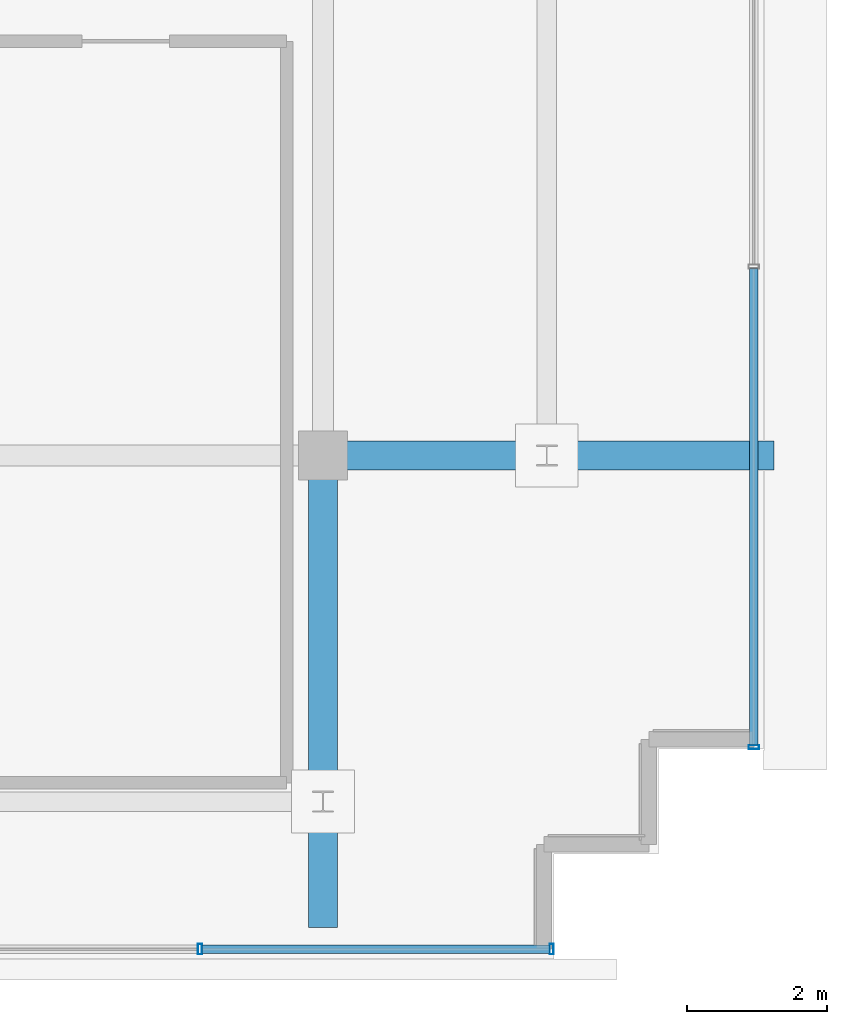
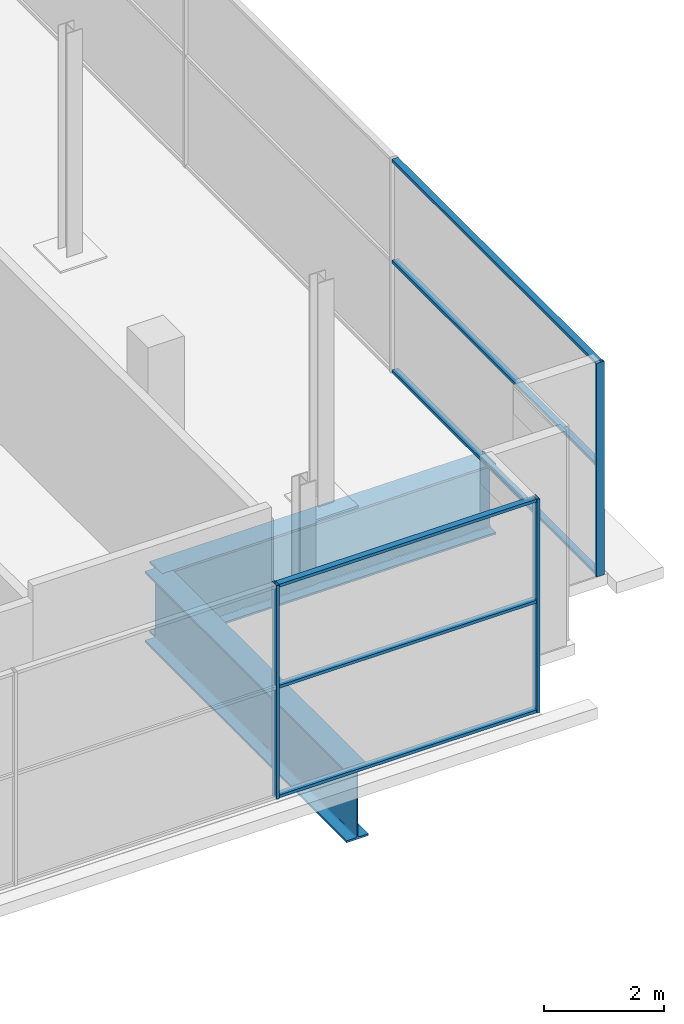
# One storey, part 15 of 28: 9 members, 2 beams, 2 elements without a shape of their own.
"""IFC4 building model written with IfcOpenShell, lengths in metres."""

from ifc_helpers import new_model, si_unit, direction, frame, origin, origin_2d, place, context, subcontext, project, spatial, hollow_rectangle, i_section, extrude, source, transform, mapped, material, layer, layer_set, material_profile, profile_set, type_object, element, aggregate, save


model = new_model("IFC4")

# Units and contexts
model_context = context("Model", 3, precision=1e-05, world=origin(), true_north=direction((0.0, 1.0)))
body_context = subcontext(model_context, "Body", "Model", "MODEL_VIEW")
ifc_project = project(units=[si_unit("LENGTHUNIT", "METRE"), si_unit("AREAUNIT", "SQUARE_METRE"), si_unit("VOLUMEUNIT", "CUBIC_METRE"), si_unit("PLANEANGLEUNIT", "RADIAN"), si_unit("MASSUNIT", "GRAM", prefix="KILO")], contexts=[model_context])

# Site, building, storey
site_placement = place(None, origin())
site = spatial("IfcSite", under=ifc_project, at=site_placement, CompositionType="ELEMENT")
building_placement = place(site_placement, origin())
building = spatial("IfcBuilding", under=site, at=building_placement, Name="Zarnakvel Exchange Tower", CompositionType="ELEMENT")
storey_placement = place(building_placement, frame((0.0, 0.0, 271.60009765625)))
storey = spatial("IfcBuildingStorey", under=building, at=storey_placement, Name="Crown L77", CompositionType="ELEMENT", Elevation=271.60009765625)

# Beams
ifc_material_1 = material(Name="Steel S460", Category="steel")
ifc_material_profile_1 = material_profile(ifc_material_1, i_section(OverallWidth=0.419921875, OverallDepth=1.449951171875, WebThickness=0.02392578125, FlangeThickness=0.0400390625, FilletRadius=0.030029296875, at=origin_2d()))
ifc_profile_set_1 = profile_set([ifc_material_profile_1], Name="Steel S460")
beam_type = type_object("IfcBeamType", Name="TG-01", PredefinedType="BEAM", material=ifc_profile_set_1)
beam_1_placement = place(storey_placement, frame((14.39990234375, -16.35009765625, -0.945068359375), z_axis=(0.0, 1.0, 0.0), x_axis=(-1.0, 0.0, 0.0)))
element("IfcBeam", 1, at=beam_1_placement, inside=storey, type_object=beam_type, Name="Crown L77 Setback N-S Transfer Girder CS-9", PredefinedType="BEAM", context=body_context, shape_type="SweptSolid", body=[
    extrude(i_section(OverallWidth=0.419921875, OverallDepth=1.449951171875, WebThickness=0.02392578125, FlangeThickness=0.0400390625, FilletRadius=0.030029296875, at=origin_2d()), origin(), (0.0, 0.0, 1.0), 6.75),
])
beam_2_placement = place(storey_placement, frame((14.39990234375, -9.60009765625, -0.945068359375), z_axis=(1.0, 0.0, 0.0), x_axis=(0.0, 1.0, 0.0)))
element("IfcBeam", 2, at=beam_2_placement, inside=storey, type_object=beam_type, Name="Crown L77 Setback E-W Transfer Girder CE-C", PredefinedType="BEAM", context=body_context, shape_type="SweptSolid", body=[
    extrude(i_section(OverallWidth=0.419921875, OverallDepth=1.449951171875, WebThickness=0.02392578125, FlangeThickness=0.0400390625, FilletRadius=0.030029296875, at=origin_2d()), origin(), (0.0, 0.0, 1.0), 6.4501953125),
])

# Curtain wall, members
ifc_material_2 = material(Name="Architectural Bronze Anodised Aluminium", Category="aluminium")
ifc_layer = layer(ifc_material_2, 0.14990234375)
ifc_layer_set = layer_set([ifc_layer], Name="Architectural Bronze Anodised Aluminium")
curtain_wall_type = type_object("IfcCurtainWallType", Name="CW-07", PredefinedType="NOTDEFINED", material=ifc_layer_set)
curtain_wall_1_placement = place(storey_placement, origin())
curtain_wall_1 = element("IfcCurtainWall", 3, at=curtain_wall_1_placement, inside=storey, type_object=curtain_wall_type, Name="Crown L77 Curtain Wall CW-Crown L77-S (CW-07)", PredefinedType="NOTDEFINED")
ifc_material_profile_2 = material_profile(ifc_material_2, hollow_rectangle(XDim=0.14990234375, YDim=0.06005859375, WallThickness=0.00390625, at=origin_2d()))
ifc_profile_set_2 = profile_set([ifc_material_profile_2], Name="Architectural Bronze Anodised Aluminium")
member_type_1 = type_object("IfcMemberType", Name="CWM-07", PredefinedType="MULLION", material=ifc_profile_set_2)
shared_shape_1 = source(origin(), body_context, "Body", "SweptSolid", [
    extrude(hollow_rectangle(XDim=0.14990234375, YDim=0.06005859375, WallThickness=0.00390625, at=origin_2d()), origin(), (0.0, 0.0, 1.0), 4.35986328125),
])
member_1_placement = place(storey_placement, frame((12.642822265625, -16.659912109375, 0.0), z_axis=(0.0, 0.0, 1.0), x_axis=(0.0, 1.0, 0.0)))
member_1 = element("IfcMember", 4, at=member_1_placement, type_object=member_type_1, Name="CW-07 mullion 7", PredefinedType="MULLION", context=body_context, shape_type="MappedRepresentation", body=[
    mapped(shared_shape_1, transform((0.0, 0.0, 0.0), x_axis=(1.0, 0.0, 0.0), y_axis=(0.0, 1.0, 0.0), z_axis=(0.0, 0.0, 1.0), scale=1.0)),
])
member_2_placement = place(storey_placement, frame((17.669921875, -16.659912109375, 0.0), z_axis=(0.0, 0.0, 1.0), x_axis=(0.0, 1.0, 0.0)))
member_2 = element("IfcMember", 5, at=member_2_placement, type_object=member_type_1, Name="CW-07 mullion 8", PredefinedType="MULLION", context=body_context, shape_type="MappedRepresentation", body=[
    mapped(shared_shape_1, transform((0.0, 0.0, 0.0), x_axis=(1.0, 0.0, 0.0), y_axis=(0.0, 1.0, 0.0), z_axis=(0.0, 0.0, 1.0), scale=1.0)),
])

# Curtain wall, member
curtain_wall_2_placement = place(storey_placement, origin())
curtain_wall_2 = element("IfcCurtainWall", 6, at=curtain_wall_2_placement, inside=storey, type_object=curtain_wall_type, Name="Crown L77 Curtain Wall CW-Crown L77-E (CW-07)", PredefinedType="NOTDEFINED")
member_3_placement = place(storey_placement, frame((20.56005859375, -13.77001953125, 0.0), z_axis=(0.0, 0.0, 1.0), x_axis=(-1.0, 0.0, 0.0)))
member_3 = element("IfcMember", 7, at=member_3_placement, type_object=member_type_1, Name="CW-07 mullion 1", PredefinedType="MULLION", context=body_context, shape_type="MappedRepresentation", body=[
    mapped(shared_shape_1, transform((0.0, 0.0, 0.0), x_axis=(1.0, 0.0, 0.0), y_axis=(0.0, 1.0, 0.0), z_axis=(0.0, 0.0, 1.0), scale=1.0)),
])

# Member
ifc_material_profile_3 = material_profile(ifc_material_2, hollow_rectangle(XDim=0.1201171875, YDim=0.06005859375, WallThickness=0.00390625, at=origin_2d()))
ifc_profile_set_3 = profile_set([ifc_material_profile_3], Name="Architectural Bronze Anodised Aluminium")
member_type_2 = type_object("IfcMemberType", Name="CWT-07", PredefinedType="USERDEFINED", material=ifc_profile_set_3)
shared_shape_2 = source(origin(), body_context, "Body", "SweptSolid", [
    extrude(hollow_rectangle(XDim=0.1201171875, YDim=0.06005859375, WallThickness=0.00390625, at=origin_2d()), origin(), (0.0, 0.0, 1.0), 4.967041015625),
])
member_4_placement = place(storey_placement, frame((12.6728515625, -16.659912109375, 0.02978515625), z_axis=(1.0, 0.0, 0.0), x_axis=(0.0, 1.0, 0.0)))
member_4 = element("IfcMember", 8, at=member_4_placement, type_object=member_type_2, Name="CW-07 transom 7.1", ObjectType="TRANSOM", PredefinedType="USERDEFINED", context=body_context, shape_type="MappedRepresentation", body=[
    mapped(shared_shape_2, transform((0.0, 0.0, 0.0), x_axis=(1.0, 0.0, 0.0), y_axis=(0.0, 1.0, 0.0), z_axis=(0.0, 0.0, 1.0), scale=1.0)),
])

member_5_placement = place(storey_placement, frame((12.6728515625, -16.659912109375, 2.26708984375), z_axis=(1.0, 0.0, 0.0), x_axis=(0.0, 1.0, 0.0)))
member_5 = element("IfcMember", 9, at=member_5_placement, type_object=member_type_2, Name="CW-07 transom 7.2", ObjectType="TRANSOM", PredefinedType="USERDEFINED", context=body_context, shape_type="MappedRepresentation", body=[
    mapped(shared_shape_2, transform((0.0, 0.0, 0.0), x_axis=(1.0, 0.0, 0.0), y_axis=(0.0, 1.0, 0.0), z_axis=(0.0, 0.0, 1.0), scale=1.0)),
])

member_6_placement = place(storey_placement, frame((12.6728515625, -16.659912109375, 4.329833984375), z_axis=(1.0, 0.0, 0.0), x_axis=(0.0, 1.0, 0.0)))
member_6 = element("IfcMember", 10, at=member_6_placement, type_object=member_type_2, Name="CW-07 transom 7.3", ObjectType="TRANSOM", PredefinedType="USERDEFINED", context=body_context, shape_type="MappedRepresentation", body=[
    mapped(shared_shape_2, transform((0.0, 0.0, 0.0), x_axis=(1.0, 0.0, 0.0), y_axis=(0.0, 1.0, 0.0), z_axis=(0.0, 0.0, 1.0), scale=1.0)),
])

aggregate(curtain_wall_1, [member_1, member_2, member_4, member_5, member_6])

shared_shape_3 = source(origin(), body_context, "Body", "SweptSolid", [
    extrude(hollow_rectangle(XDim=0.1201171875, YDim=0.06005859375, WallThickness=0.00390625, at=origin_2d()), origin(), (0.0, 0.0, 1.0), 6.81005859375),
])
member_7_placement = place(storey_placement, frame((20.56005859375, -13.739990234375, 0.02978515625), z_axis=(0.0, 1.0, 0.0), x_axis=(-1.0, 0.0, 0.0)))
member_7 = element("IfcMember", 11, at=member_7_placement, type_object=member_type_2, Name="CW-07 transom 1.1", ObjectType="TRANSOM", PredefinedType="USERDEFINED", context=body_context, shape_type="MappedRepresentation", body=[
    mapped(shared_shape_3, transform((0.0, 0.0, 0.0), x_axis=(1.0, 0.0, 0.0), y_axis=(0.0, 1.0, 0.0), z_axis=(0.0, 0.0, 1.0), scale=1.0)),
])

member_8_placement = place(storey_placement, frame((20.56005859375, -13.739990234375, 2.26708984375), z_axis=(0.0, 1.0, 0.0), x_axis=(-1.0, 0.0, 0.0)))
member_8 = element("IfcMember", 12, at=member_8_placement, type_object=member_type_2, Name="CW-07 transom 1.2", ObjectType="TRANSOM", PredefinedType="USERDEFINED", context=body_context, shape_type="MappedRepresentation", body=[
    mapped(shared_shape_3, transform((0.0, 0.0, 0.0), x_axis=(1.0, 0.0, 0.0), y_axis=(0.0, 1.0, 0.0), z_axis=(0.0, 0.0, 1.0), scale=1.0)),
])

member_9_placement = place(storey_placement, frame((20.56005859375, -13.739990234375, 4.329833984375), z_axis=(0.0, 1.0, 0.0), x_axis=(-1.0, 0.0, 0.0)))
member_9 = element("IfcMember", 13, at=member_9_placement, type_object=member_type_2, Name="CW-07 transom 1.3", ObjectType="TRANSOM", PredefinedType="USERDEFINED", context=body_context, shape_type="MappedRepresentation", body=[
    mapped(shared_shape_3, transform((0.0, 0.0, 0.0), x_axis=(1.0, 0.0, 0.0), y_axis=(0.0, 1.0, 0.0), z_axis=(0.0, 0.0, 1.0), scale=1.0)),
])

aggregate(curtain_wall_2, [member_3, member_7, member_8, member_9])

save(model, "model.ifc")
